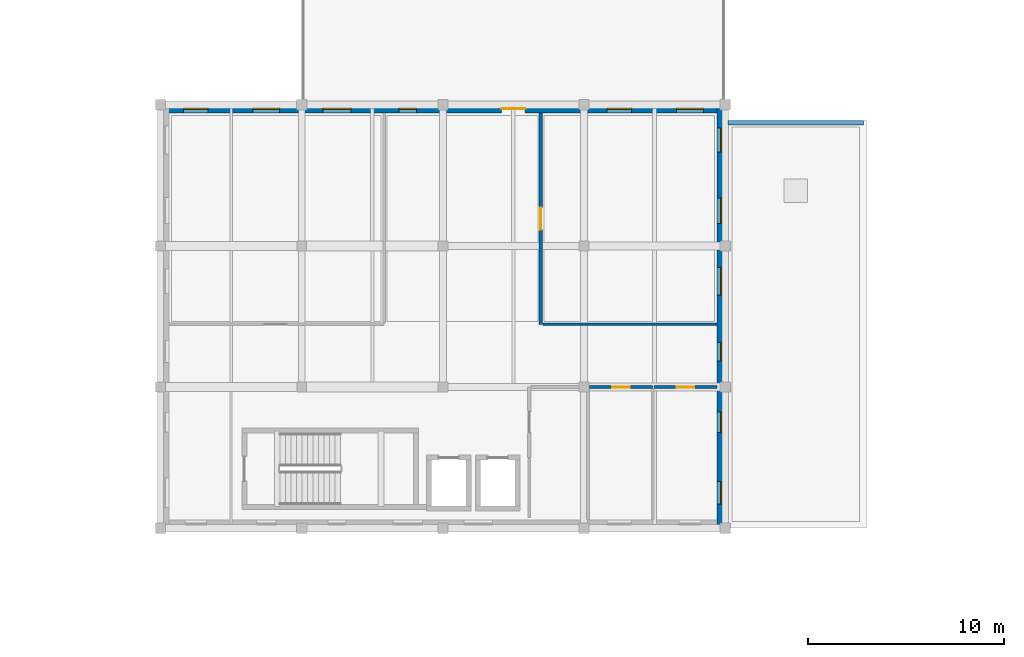
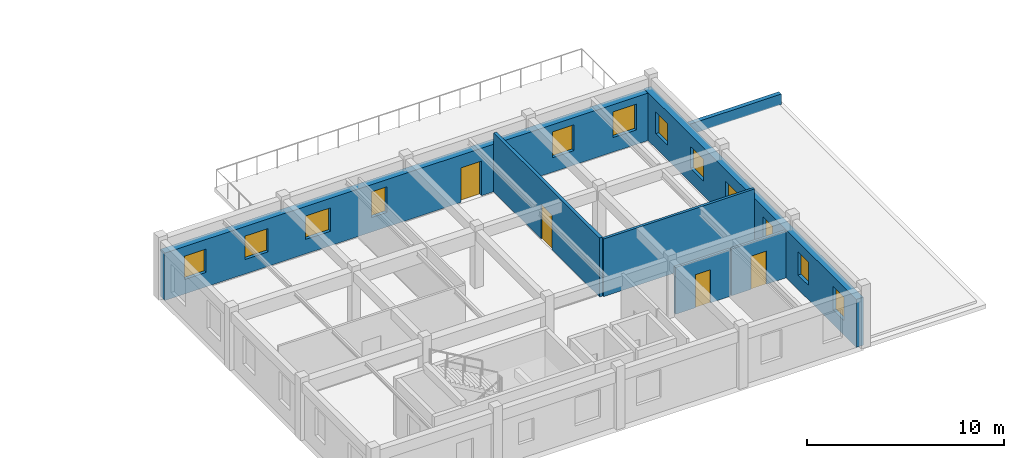
# One storey, part 12 of 20: 12 windows, 7 walls, 4 doors, 16 openings.
"""IFC4 building model written with IfcOpenShell, lengths in metres."""

from ifc_helpers import new_model, si_unit, direction, frame, frame_2d, origin, place, context, subcontext, project, spatial, rectangle, extrude, material, layer, layer_set, type_object, element, fill, save


model = new_model("IFC4")

# Units and contexts
model_context = context("Model", 3, precision=1e-05, world=origin(), true_north=direction((0.0, 1.0)))
body_context = subcontext(model_context, "Body", "Model", "MODEL_VIEW")
ifc_project = project(units=[si_unit("LENGTHUNIT", "METRE"), si_unit("AREAUNIT", "SQUARE_METRE"), si_unit("VOLUMEUNIT", "CUBIC_METRE"), si_unit("PLANEANGLEUNIT", "RADIAN"), si_unit("MASSUNIT", "GRAM", prefix="KILO")], contexts=[model_context])

# Site, building, storey
site_placement = place(None, origin())
site = spatial("IfcSite", under=ifc_project, at=site_placement, CompositionType="ELEMENT")
building_placement = place(site_placement, origin())
building = spatial("IfcBuilding", under=site, at=building_placement, Name="Bramveld Media Centre", CompositionType="ELEMENT")
storey_placement = place(building_placement, frame((0.0, 0.0, 18.0)))
storey = spatial("IfcBuildingStorey", under=building, at=storey_placement, Name="L04", CompositionType="ELEMENT", Elevation=18.0)

# Wall, openings, windows
ifc_material_1 = material(Name="Flemish red-brown clay facing brick cavity wall with concrete C35/45 inner leaf", Category="masonry")
ifc_layer_1 = layer(ifc_material_1, 0.419921875)
ifc_layer_set_1 = layer_set([ifc_layer_1], Name="Flemish red-brown clay facing brick cavity wall with concrete C35/45 inner leaf")
wall_type_1 = type_object("IfcWallType", Name="EW-BRK-420", PredefinedType="SOLIDWALL", material=ifc_layer_set_1)
wall_1_placement = place(storey_placement, frame((94.18994140625, 112.0, 0.0), z_axis=(0.0, 0.0, 1.0), x_axis=(0.0, -1.0, 0.0)))
wall_1 = element("IfcWall", 1, at=wall_1_placement, inside=storey, type_object=wall_type_1, Name="V6 L04 E facing brick exterior wall", PredefinedType="SOLIDWALL", context=body_context, shape_type="SweptSolid", body=[
    extrude(rectangle(XDim=21.60009765625, YDim=0.419921875, at=frame_2d((10.800048828125, 0.0))), origin(), (0.0, 0.0, 1.0), 2.97509765625),
])
opening_1_placement = place(wall_1_placement, frame((1.199951171875, 0.0, 0.89990234375)))
opening_1 = element("IfcOpeningElement", 2, at=opening_1_placement, cuts=wall_1, Name="Opening W-04", PredefinedType="OPENING", context=body_context, shape_type="SweptSolid", body=[
    extrude(rectangle(XDim=1.199951171875, YDim=1.35009765625, at=frame_2d((0.60009765625, 0.675048828125))), frame((0.0, 0.221923828125, 0.0), z_axis=(0.0, -1.0, 0.0), x_axis=(1.0, 0.0, 0.0)), (0.0, 0.0, 1.0), 0.44384765625),
])
opening_2_placement = place(wall_1_placement, frame((4.75, 0.0, 0.89990234375)))
opening_2 = element("IfcOpeningElement", 3, at=opening_2_placement, cuts=wall_1, Name="Opening W-05", PredefinedType="OPENING", context=body_context, shape_type="SweptSolid", body=[
    extrude(rectangle(XDim=1.300048828125, YDim=1.35009765625, at=frame_2d((0.64990234375, 0.675048828125))), frame((0.0, 0.221923828125, 0.0), z_axis=(0.0, -1.0, 0.0), x_axis=(1.0, 0.0, 0.0)), (0.0, 0.0, 1.0), 0.44384765625),
])
opening_3_placement = place(wall_1_placement, frame((8.300048828125, 0.0, 0.89990234375)))
opening_3 = element("IfcOpeningElement", 4, at=opening_3_placement, cuts=wall_1, Name="Opening W-06", PredefinedType="OPENING", context=body_context, shape_type="SweptSolid", body=[
    extrude(rectangle(XDim=1.39990234375, YDim=1.35009765625, at=frame_2d((0.699951171875, 0.675048828125))), frame((0.0, 0.221923828125, 0.0), z_axis=(0.0, -1.0, 0.0), x_axis=(1.0, 0.0, 0.0)), (0.0, 0.0, 1.0), 0.44384765625),
])
opening_4_placement = place(wall_1_placement, frame((12.125, 0.0, 0.89990234375)))
opening_4 = element("IfcOpeningElement", 5, at=opening_4_placement, cuts=wall_1, Name="Opening W-07", PredefinedType="OPENING", context=body_context, shape_type="SweptSolid", body=[
    extrude(rectangle(XDim=0.949951171875, YDim=1.449951171875, at=frame_2d((0.47509765625, 0.72509765625))), frame((0.0, 0.221923828125, 0.0), z_axis=(0.0, -1.0, 0.0), x_axis=(1.0, 0.0, 0.0)), (0.0, 0.0, 1.0), 0.44384765625),
])
opening_5_placement = place(wall_1_placement, frame((15.675048828125, 0.0, 0.89990234375)))
opening_5 = element("IfcOpeningElement", 6, at=opening_5_placement, cuts=wall_1, Name="Opening W-08", PredefinedType="OPENING", context=body_context, shape_type="SweptSolid", body=[
    extrude(rectangle(XDim=1.050048828125, YDim=1.449951171875, at=frame_2d((0.52490234375, 0.72509765625))), frame((0.0, 0.221923828125, 0.0), z_axis=(0.0, -1.0, 0.0), x_axis=(1.0, 0.0, 0.0)), (0.0, 0.0, 1.0), 0.44384765625),
])
opening_6_placement = place(wall_1_placement, frame((19.22509765625, 0.0, 0.89990234375)))
opening_6 = element("IfcOpeningElement", 7, at=opening_6_placement, cuts=wall_1, Name="Opening W-09", PredefinedType="OPENING", context=body_context, shape_type="SweptSolid", body=[
    extrude(rectangle(XDim=1.14990234375, YDim=1.449951171875, at=frame_2d((0.574951171875, 0.72509765625))), frame((0.0, 0.221923828125, 0.0), z_axis=(0.0, -1.0, 0.0), x_axis=(1.0, 0.0, 0.0)), (0.0, 0.0, 1.0), 0.44384765625),
])
ifc_material_2 = material(Name="Thermally broken anodized bronze aluminium frame with triple acoustic glazing", Category="aluminium")
window_type_1 = type_object("IfcWindowType", Name="WIN-FAC-04", PartitioningType="SINGLE_PANEL", PredefinedType="WINDOW", material=ifc_material_2)
window_1_placement = place(opening_1_placement, origin())
window_1 = element("IfcWindow", 8, at=window_1_placement, inside=storey, type_object=window_type_1, Name="V6 L04 E acoustic facade window", OverallHeight=1.35009765625, OverallWidth=1.199951171875, PartitioningType="SINGLE_PANEL", PredefinedType="WINDOW", context=body_context, shape_type="SweptSolid", body=[
    extrude(rectangle(XDim=1.199951171875, YDim=1.35009765625, at=frame_2d((0.60009765625, 0.675048828125))), frame((0.0, 0.030029296875, 0.0), z_axis=(0.0, -1.0, 0.0), x_axis=(1.0, 0.0, 0.0)), (0.0, 0.0, 1.0), 0.06005859375),
])
fill(opening_1, window_1)
ifc_material_3 = material(Name="Thermally broken anodized bronze aluminium frame with triple acoustic glazing", Category="aluminium")
window_type_2 = type_object("IfcWindowType", Name="WIN-FAC-05", PartitioningType="SINGLE_PANEL", PredefinedType="WINDOW", material=ifc_material_3)
window_2_placement = place(opening_2_placement, origin())
window_2 = element("IfcWindow", 9, at=window_2_placement, inside=storey, type_object=window_type_2, Name="V6 L04 E acoustic facade window", OverallHeight=1.35009765625, OverallWidth=1.300048828125, PartitioningType="SINGLE_PANEL", PredefinedType="WINDOW", context=body_context, shape_type="SweptSolid", body=[
    extrude(rectangle(XDim=1.300048828125, YDim=1.35009765625, at=frame_2d((0.64990234375, 0.675048828125))), frame((0.0, 0.030029296875, 0.0), z_axis=(0.0, -1.0, 0.0), x_axis=(1.0, 0.0, 0.0)), (0.0, 0.0, 1.0), 0.06005859375),
])
fill(opening_2, window_2)
ifc_material_4 = material(Name="Thermally broken anodized bronze aluminium frame with triple acoustic glazing", Category="aluminium")
window_type_3 = type_object("IfcWindowType", Name="WIN-FAC-06", PartitioningType="SINGLE_PANEL", PredefinedType="WINDOW", material=ifc_material_4)
window_3_placement = place(opening_3_placement, origin())
window_3 = element("IfcWindow", 10, at=window_3_placement, inside=storey, type_object=window_type_3, Name="V6 L04 E acoustic facade window", OverallHeight=1.35009765625, OverallWidth=1.39990234375, PartitioningType="SINGLE_PANEL", PredefinedType="WINDOW", context=body_context, shape_type="SweptSolid", body=[
    extrude(rectangle(XDim=1.39990234375, YDim=1.35009765625, at=frame_2d((0.699951171875, 0.675048828125))), frame((0.0, 0.030029296875, 0.0), z_axis=(0.0, -1.0, 0.0), x_axis=(1.0, 0.0, 0.0)), (0.0, 0.0, 1.0), 0.06005859375),
])
fill(opening_3, window_3)
ifc_material_5 = material(Name="Thermally broken anodized bronze aluminium frame with triple acoustic glazing", Category="aluminium")
window_type_4 = type_object("IfcWindowType", Name="WIN-FAC-07", PartitioningType="SINGLE_PANEL", PredefinedType="WINDOW", material=ifc_material_5)
window_4_placement = place(opening_4_placement, origin())
window_4 = element("IfcWindow", 11, at=window_4_placement, inside=storey, type_object=window_type_4, Name="V6 L04 E acoustic facade window", OverallHeight=1.449951171875, OverallWidth=0.949951171875, PartitioningType="SINGLE_PANEL", PredefinedType="WINDOW", context=body_context, shape_type="SweptSolid", body=[
    extrude(rectangle(XDim=0.949951171875, YDim=1.449951171875, at=frame_2d((0.47509765625, 0.72509765625))), frame((0.0, 0.030029296875, 0.0), z_axis=(0.0, -1.0, 0.0), x_axis=(1.0, 0.0, 0.0)), (0.0, 0.0, 1.0), 0.06005859375),
])
fill(opening_4, window_4)
ifc_material_6 = material(Name="Thermally broken anodized bronze aluminium frame with triple acoustic glazing", Category="aluminium")
window_type_5 = type_object("IfcWindowType", Name="WIN-FAC-08", PartitioningType="SINGLE_PANEL", PredefinedType="WINDOW", material=ifc_material_6)
window_5_placement = place(opening_5_placement, origin())
window_5 = element("IfcWindow", 12, at=window_5_placement, inside=storey, type_object=window_type_5, Name="V6 L04 E acoustic facade window", OverallHeight=1.449951171875, OverallWidth=1.050048828125, PartitioningType="SINGLE_PANEL", PredefinedType="WINDOW", context=body_context, shape_type="SweptSolid", body=[
    extrude(rectangle(XDim=1.050048828125, YDim=1.449951171875, at=frame_2d((0.52490234375, 0.72509765625))), frame((0.0, 0.030029296875, 0.0), z_axis=(0.0, -1.0, 0.0), x_axis=(1.0, 0.0, 0.0)), (0.0, 0.0, 1.0), 0.06005859375),
])
fill(opening_5, window_5)
ifc_material_7 = material(Name="Thermally broken anodized bronze aluminium frame with triple acoustic glazing", Category="aluminium")
window_type_6 = type_object("IfcWindowType", Name="WIN-FAC-09", PartitioningType="SINGLE_PANEL", PredefinedType="WINDOW", material=ifc_material_7)
window_6_placement = place(opening_6_placement, origin())
window_6 = element("IfcWindow", 13, at=window_6_placement, inside=storey, type_object=window_type_6, Name="V6 L04 E acoustic facade window", OverallHeight=1.449951171875, OverallWidth=1.14990234375, PartitioningType="SINGLE_PANEL", PredefinedType="WINDOW", context=body_context, shape_type="SweptSolid", body=[
    extrude(rectangle(XDim=1.14990234375, YDim=1.449951171875, at=frame_2d((0.574951171875, 0.72509765625))), frame((0.0, 0.030029296875, 0.0), z_axis=(0.0, -1.0, 0.0), x_axis=(1.0, 0.0, 0.0)), (0.0, 0.0, 1.0), 0.06005859375),
])
fill(opening_6, window_6)

# Wall, openings, door, windows
wall_2_placement = place(storey_placement, frame((65.60009765625, 111.7900390625, 0.0), z_axis=(0.0, 0.0, 1.0), x_axis=(1.0, 0.0, 0.0)))
wall_2 = element("IfcWall", 14, at=wall_2_placement, inside=storey, type_object=wall_type_1, Name="V6 L04 N facing brick exterior wall", PredefinedType="SOLIDWALL", context=body_context, shape_type="SweptSolid", body=[
    extrude(rectangle(XDim=28.7998046875, YDim=0.419921875, at=frame_2d((14.39990234375, 0.0))), origin(), (0.0, 0.0, 1.0), 2.945068359375),
])
opening_7_placement = place(wall_2_placement, frame((17.39990234375, 0.0, 0.0)))
opening_7 = element("IfcOpeningElement", 15, at=opening_7_placement, cuts=wall_2, Name="Opening TD-09", PredefinedType="OPENING", context=body_context, shape_type="SweptSolid", body=[
    extrude(rectangle(XDim=1.199951171875, YDim=2.14990234375, at=frame_2d((0.60009765625, 1.074951171875))), frame((0.0, 0.221923828125, 0.0), z_axis=(0.0, -1.0, 0.0), x_axis=(1.0, 0.0, 0.0)), (0.0, 0.0, 1.0), 0.44384765625),
])
opening_8_placement = place(wall_2_placement, frame((1.175048828125, 0.0, 0.89990234375)))
opening_8 = element("IfcOpeningElement", 16, at=opening_8_placement, cuts=wall_2, Name="Opening W-10", PredefinedType="OPENING", context=body_context, shape_type="SweptSolid", body=[
    extrude(rectangle(XDim=1.25, YDim=1.449951171875, at=frame_2d((0.625, 0.72509765625))), frame((0.0, 0.221923828125, 0.0), z_axis=(0.0, -1.0, 0.0), x_axis=(1.0, 0.0, 0.0)), (0.0, 0.0, 1.0), 0.44384765625),
])
opening_9_placement = place(wall_2_placement, frame((4.72509765625, 0.0, 0.89990234375)))
opening_9 = element("IfcOpeningElement", 17, at=opening_9_placement, cuts=wall_2, Name="Opening W-11", PredefinedType="OPENING", context=body_context, shape_type="SweptSolid", body=[
    extrude(rectangle(XDim=1.35009765625, YDim=1.449951171875, at=frame_2d((0.675048828125, 0.72509765625))), frame((0.0, 0.221923828125, 0.0), z_axis=(0.0, -1.0, 0.0), x_axis=(1.0, 0.0, 0.0)), (0.0, 0.0, 1.0), 0.44384765625),
])
opening_10_placement = place(wall_2_placement, frame((8.27490234375, 0.0, 0.89990234375)))
opening_10 = element("IfcOpeningElement", 18, at=opening_10_placement, cuts=wall_2, Name="Opening W-12", PredefinedType="OPENING", context=body_context, shape_type="SweptSolid", body=[
    extrude(rectangle(XDim=1.449951171875, YDim=1.449951171875, at=frame_2d((0.72509765625, 0.72509765625))), frame((0.0, 0.221923828125, 0.0), z_axis=(0.0, -1.0, 0.0), x_axis=(1.0, 0.0, 0.0)), (0.0, 0.0, 1.0), 0.44384765625),
])
opening_11_placement = place(wall_2_placement, frame((12.14990234375, 0.0, 0.89990234375)))
opening_11 = element("IfcOpeningElement", 19, at=opening_11_placement, cuts=wall_2, Name="Opening W-13", PredefinedType="OPENING", context=body_context, shape_type="SweptSolid", body=[
    extrude(rectangle(XDim=0.89990234375, YDim=1.60009765625, at=frame_2d((0.449951171875, 0.800048828125))), frame((0.0, 0.221923828125, 0.0), z_axis=(0.0, -1.0, 0.0), x_axis=(1.0, 0.0, 0.0)), (0.0, 0.0, 1.0), 0.44384765625),
])
opening_12_placement = place(wall_2_placement, frame((22.77490234375, 0.0, 0.89990234375)))
opening_12 = element("IfcOpeningElement", 20, at=opening_12_placement, cuts=wall_2, Name="Opening W-16", PredefinedType="OPENING", context=body_context, shape_type="SweptSolid", body=[
    extrude(rectangle(XDim=1.25, YDim=1.60009765625, at=frame_2d((0.625, 0.800048828125))), frame((0.0, 0.221923828125, 0.0), z_axis=(0.0, -1.0, 0.0), x_axis=(1.0, 0.0, 0.0)), (0.0, 0.0, 1.0), 0.44384765625),
])
opening_13_placement = place(wall_2_placement, frame((26.31005859375, 0.0, 0.89990234375)))
opening_13 = element("IfcOpeningElement", 21, at=opening_13_placement, cuts=wall_2, Name="Opening W-17", PredefinedType="OPENING", context=body_context, shape_type="SweptSolid", body=[
    extrude(rectangle(XDim=1.3798828125, YDim=1.60009765625, at=frame_2d((0.68994140625, 0.800048828125))), frame((0.0, 0.221923828125, 0.0), z_axis=(0.0, -1.0, 0.0), x_axis=(1.0, 0.0, 0.0)), (0.0, 0.0, 1.0), 0.44384765625),
])
ifc_material_8 = material(Name="Insulated powder-coated bronze aluminium & laminated safety glass door", Category="aluminium")
door_type_1 = type_object("IfcDoorType", Name="DR-TER-1200", OperationType="NOTDEFINED", PredefinedType="DOOR", material=ifc_material_8)
door_1_placement = place(opening_7_placement, origin())
door_1 = element("IfcDoor", 22, at=door_1_placement, inside=storey, type_object=door_type_1, Name="Exterior door TD-09", OperationType="SINGLE_SWING_LEFT", OverallHeight=2.14990234375, OverallWidth=1.199951171875, PredefinedType="DOOR", context=body_context, shape_type="SweptSolid", body=[
    extrude(rectangle(XDim=1.199951171875, YDim=2.14990234375, at=frame_2d((0.60009765625, 1.074951171875))), frame((0.0, 0.02490234375, 0.0), z_axis=(0.0, -1.0, 0.0), x_axis=(1.0, 0.0, 0.0)), (0.0, 0.0, 1.0), 0.050048828125),
])
fill(opening_7, door_1)
ifc_material_9 = material(Name="Thermally broken anodized bronze aluminium frame with triple acoustic glazing", Category="aluminium")
window_type_7 = type_object("IfcWindowType", Name="WIN-FAC-10", PartitioningType="SINGLE_PANEL", PredefinedType="WINDOW", material=ifc_material_9)
window_7_placement = place(opening_8_placement, origin())
window_7 = element("IfcWindow", 23, at=window_7_placement, inside=storey, type_object=window_type_7, Name="V6 L04 N acoustic facade window", OverallHeight=1.449951171875, OverallWidth=1.25, PartitioningType="SINGLE_PANEL", PredefinedType="WINDOW", context=body_context, shape_type="SweptSolid", body=[
    extrude(rectangle(XDim=1.25, YDim=1.449951171875, at=frame_2d((0.625, 0.72509765625))), frame((0.0, 0.030029296875, 0.0), z_axis=(0.0, -1.0, 0.0), x_axis=(1.0, 0.0, 0.0)), (0.0, 0.0, 1.0), 0.06005859375),
])
fill(opening_8, window_7)
ifc_material_10 = material(Name="Thermally broken anodized bronze aluminium frame with triple acoustic glazing", Category="aluminium")
window_type_8 = type_object("IfcWindowType", Name="WIN-FAC-11", PartitioningType="SINGLE_PANEL", PredefinedType="WINDOW", material=ifc_material_10)
window_8_placement = place(opening_9_placement, origin())
window_8 = element("IfcWindow", 24, at=window_8_placement, inside=storey, type_object=window_type_8, Name="V6 L04 N acoustic facade window", OverallHeight=1.449951171875, OverallWidth=1.35009765625, PartitioningType="SINGLE_PANEL", PredefinedType="WINDOW", context=body_context, shape_type="SweptSolid", body=[
    extrude(rectangle(XDim=1.35009765625, YDim=1.449951171875, at=frame_2d((0.675048828125, 0.72509765625))), frame((0.0, 0.030029296875, 0.0), z_axis=(0.0, -1.0, 0.0), x_axis=(1.0, 0.0, 0.0)), (0.0, 0.0, 1.0), 0.06005859375),
])
fill(opening_9, window_8)
ifc_material_11 = material(Name="Thermally broken anodized bronze aluminium frame with triple acoustic glazing", Category="aluminium")
window_type_9 = type_object("IfcWindowType", Name="WIN-FAC-12", PartitioningType="SINGLE_PANEL", PredefinedType="WINDOW", material=ifc_material_11)
window_9_placement = place(opening_10_placement, origin())
window_9 = element("IfcWindow", 25, at=window_9_placement, inside=storey, type_object=window_type_9, Name="V6 L04 N acoustic facade window", OverallHeight=1.449951171875, OverallWidth=1.449951171875, PartitioningType="SINGLE_PANEL", PredefinedType="WINDOW", context=body_context, shape_type="SweptSolid", body=[
    extrude(rectangle(XDim=1.449951171875, YDim=1.449951171875, at=frame_2d((0.72509765625, 0.72509765625))), frame((0.0, 0.030029296875, 0.0), z_axis=(0.0, -1.0, 0.0), x_axis=(1.0, 0.0, 0.0)), (0.0, 0.0, 1.0), 0.06005859375),
])
fill(opening_10, window_9)
ifc_material_12 = material(Name="Thermally broken anodized bronze aluminium frame with triple acoustic glazing", Category="aluminium")
window_type_10 = type_object("IfcWindowType", Name="WIN-FAC-13", PartitioningType="SINGLE_PANEL", PredefinedType="WINDOW", material=ifc_material_12)
window_10_placement = place(opening_11_placement, origin())
window_10 = element("IfcWindow", 26, at=window_10_placement, inside=storey, type_object=window_type_10, Name="V6 L04 N acoustic facade window", OverallHeight=1.60009765625, OverallWidth=0.89990234375, PartitioningType="SINGLE_PANEL", PredefinedType="WINDOW", context=body_context, shape_type="SweptSolid", body=[
    extrude(rectangle(XDim=0.89990234375, YDim=1.60009765625, at=frame_2d((0.449951171875, 0.800048828125))), frame((0.0, 0.030029296875, 0.0), z_axis=(0.0, -1.0, 0.0), x_axis=(1.0, 0.0, 0.0)), (0.0, 0.0, 1.0), 0.06005859375),
])
fill(opening_11, window_10)
ifc_material_13 = material(Name="Thermally broken anodized bronze aluminium frame with triple acoustic glazing", Category="aluminium")
window_type_11 = type_object("IfcWindowType", Name="WIN-FAC-16", PartitioningType="SINGLE_PANEL", PredefinedType="WINDOW", material=ifc_material_13)
window_11_placement = place(opening_12_placement, origin())
window_11 = element("IfcWindow", 27, at=window_11_placement, inside=storey, type_object=window_type_11, Name="V6 L04 N acoustic facade window", OverallHeight=1.60009765625, OverallWidth=1.25, PartitioningType="SINGLE_PANEL", PredefinedType="WINDOW", context=body_context, shape_type="SweptSolid", body=[
    extrude(rectangle(XDim=1.25, YDim=1.60009765625, at=frame_2d((0.625, 0.800048828125))), frame((0.0, 0.030029296875, 0.0), z_axis=(0.0, -1.0, 0.0), x_axis=(1.0, 0.0, 0.0)), (0.0, 0.0, 1.0), 0.06005859375),
])
fill(opening_12, window_11)
ifc_material_14 = material(Name="Thermally broken anodized bronze aluminium frame with triple acoustic glazing", Category="aluminium")
window_type_12 = type_object("IfcWindowType", Name="WIN-FAC-17", PartitioningType="SINGLE_PANEL", PredefinedType="WINDOW", material=ifc_material_14)
window_12_placement = place(opening_13_placement, origin())
window_12 = element("IfcWindow", 28, at=window_12_placement, inside=storey, type_object=window_type_12, Name="V6 L04 N acoustic facade window", OverallHeight=1.60009765625, OverallWidth=1.3798828125, PartitioningType="SINGLE_PANEL", PredefinedType="WINDOW", context=body_context, shape_type="SweptSolid", body=[
    extrude(rectangle(XDim=1.3798828125, YDim=1.60009765625, at=frame_2d((0.68994140625, 0.800048828125))), frame((0.0, 0.030029296875, 0.0), z_axis=(0.0, -1.0, 0.0), x_axis=(1.0, 0.0, 0.0)), (0.0, 0.0, 1.0), 0.06005859375),
])
fill(opening_13, window_12)

# Wall, opening, door
ifc_material_15 = material(Name="Fire-rated twin-frame gypsum corridor wall", Category="gypsum")
ifc_layer_2 = layer(ifc_material_15, 0.179931640625)
ifc_layer_set_2 = layer_set([ifc_layer_2], Name="Fire-rated twin-frame gypsum corridor wall")
wall_type_2 = type_object("IfcWallType", Name="IW-FIRE-180", PredefinedType="PARTITIONING", material=ifc_layer_set_2)
wall_3_placement = place(storey_placement, frame((85.0, 100.800048828125, 0.0), z_axis=(0.0, 0.0, 1.0), x_axis=(0.0, 1.0, 0.0)))
wall_3 = element("IfcWall", 29, at=wall_3_placement, inside=storey, type_object=wall_type_2, Name="North Canal Viewing Circulation Lobby partition wall", PredefinedType="PARTITIONING", context=body_context, shape_type="SweptSolid", body=[
    extrude(rectangle(XDim=10.77001953125, YDim=0.179931640625, at=frame_2d((5.385009765625, 0.0))), origin(), (0.0, 0.0, 1.0), 3.659912109375),
])
opening_14_placement = place(wall_3_placement, frame((4.824951171875, 0.0, 0.0)))
opening_14 = element("IfcOpeningElement", 30, at=opening_14_placement, cuts=wall_3, Name="Opening D-04-181", PredefinedType="OPENING", context=body_context, shape_type="SweptSolid", body=[
    extrude(rectangle(XDim=1.1201171875, YDim=2.14990234375, at=frame_2d((0.56005859375, 1.074951171875))), frame((0.0, 0.10205078125, 0.0), z_axis=(0.0, -1.0, 0.0), x_axis=(1.0, 0.0, 0.0)), (0.0, 0.0, 1.0), 0.203857421875),
])
ifc_material_16 = material(Name="Solid-core European oak acoustic timber leaf in steel frame", Category="steel")
door_type_2 = type_object("IfcDoorType", Name="DR-RM-1120", OperationType="NOTDEFINED", PredefinedType="DOOR", material=ifc_material_16)
door_2_placement = place(opening_14_placement, origin())
door_2 = element("IfcDoor", 31, at=door_2_placement, inside=storey, type_object=door_type_2, Name="Exhibition Media Server & Lighting Studio entrance door", OperationType="SINGLE_SWING_LEFT", OverallHeight=2.14990234375, OverallWidth=1.1201171875, PredefinedType="DOOR", context=body_context, shape_type="SweptSolid", body=[
    extrude(rectangle(XDim=1.1201171875, YDim=2.14990234375, at=frame_2d((0.56005859375, 1.074951171875))), frame((0.0, 0.02490234375, 0.0), z_axis=(0.0, -1.0, 0.0), x_axis=(1.0, 0.0, 0.0)), (0.0, 0.0, 1.0), 0.050048828125),
])
fill(opening_14, door_2)

# Wall
ifc_material_17 = material(Name="Insulated metal-stud gypsum room partition", Category="gypsum")
ifc_layer_3 = layer(ifc_material_17, 0.14990234375)
ifc_layer_set_3 = layer_set([ifc_layer_3], Name="Insulated metal-stud gypsum room partition")
wall_type_3 = type_object("IfcWallType", Name="IW-PART-150", PredefinedType="PARTITIONING", material=ifc_layer_set_3)
wall_4_placement = place(storey_placement, frame((85.10009765625, 100.800048828125, 0.0), z_axis=(0.0, 0.0, 1.0), x_axis=(1.0, 0.0, 0.0)))
element("IfcWall", 32, at=wall_4_placement, inside=storey, type_object=wall_type_3, Name="Exhibition Media Server & Lighting Studio partition wall", PredefinedType="PARTITIONING", context=body_context, shape_type="SweptSolid", body=[
    extrude(rectangle(XDim=8.869873046875, YDim=0.14990234375, at=frame_2d((4.43505859375, 0.0))), origin(), (0.0, 0.0, 1.0), 3.580078125),
])

# Wall, opening, door
ifc_material_18 = material(Name="Moisture-resistant cement-board sanitary partition", Category="gypsum")
ifc_layer_4 = layer(ifc_material_18, 0.139892578125)
ifc_layer_set_4 = layer_set([ifc_layer_4], Name="Moisture-resistant cement-board sanitary partition")
wall_type_4 = type_object("IfcWallType", Name="IW-WET-140", PredefinedType="PARTITIONING", material=ifc_layer_set_4)
wall_5_placement = place(storey_placement, frame((87.47998046875, 97.60009765625, 0.0), z_axis=(0.0, 0.0, 1.0), x_axis=(1.0, 0.0, 0.0)))
wall_5 = element("IfcWall", 33, at=wall_5_placement, inside=storey, type_object=wall_type_4, Name="Male WC partition wall", PredefinedType="PARTITIONING", context=body_context, shape_type="SweptSolid", body=[
    extrude(rectangle(XDim=3.219970703125, YDim=0.139892578125, at=frame_2d((1.60986328125, 0.0))), origin(), (0.0, 0.0, 1.0), 2.905029296875),
])
opening_15_placement = place(wall_5_placement, frame((1.1650390625, 0.0, 0.0)))
opening_15 = element("IfcOpeningElement", 34, at=opening_15_placement, cuts=wall_5, Name="Opening D-04-178", PredefinedType="OPENING", context=body_context, shape_type="SweptSolid", body=[
    extrude(rectangle(XDim=0.889892578125, YDim=2.050048828125, at=frame_2d((0.44482421875, 1.02490234375))), frame((0.0, 0.08203125, 0.0), z_axis=(0.0, -1.0, 0.0), x_axis=(1.0, 0.0, 0.0)), (0.0, 0.0, 1.0), 0.163818359375),
])
ifc_material_19 = material(Name="Solid-core European oak acoustic timber leaf in steel frame", Category="steel")
door_type_3 = type_object("IfcDoorType", Name="DR-WC-0890", OperationType="NOTDEFINED", PredefinedType="DOOR", material=ifc_material_19)
door_3_placement = place(opening_15_placement, origin())
door_3 = element("IfcDoor", 35, at=door_3_placement, inside=storey, type_object=door_type_3, Name="Male WC entrance door", OperationType="SINGLE_SWING_RIGHT", OverallHeight=2.050048828125, OverallWidth=0.889892578125, PredefinedType="DOOR", context=body_context, shape_type="SweptSolid", body=[
    extrude(rectangle(XDim=0.889892578125, YDim=2.050048828125, at=frame_2d((0.44482421875, 1.02490234375))), frame((0.0, 0.02490234375, 0.0), z_axis=(0.0, -1.0, 0.0), x_axis=(1.0, 0.0, 0.0)), (0.0, 0.0, 1.0), 0.050048828125),
])
fill(opening_15, door_3)

wall_6_placement = place(storey_placement, frame((90.780029296875, 97.60009765625, 0.0), z_axis=(0.0, 0.0, 1.0), x_axis=(1.0, 0.0, 0.0)))
wall_6 = element("IfcWall", 36, at=wall_6_placement, inside=storey, type_object=wall_type_4, Name="Female WC partition wall", PredefinedType="PARTITIONING", context=body_context, shape_type="SweptSolid", body=[
    extrude(rectangle(XDim=3.18994140625, YDim=0.139892578125, at=frame_2d((1.594970703125, 0.0))), origin(), (0.0, 0.0, 1.0), 2.905029296875),
])
opening_16_placement = place(wall_6_placement, frame((1.139892578125, 0.0, 0.0)))
opening_16 = element("IfcOpeningElement", 37, at=opening_16_placement, cuts=wall_6, Name="Opening D-04-179", PredefinedType="OPENING", context=body_context, shape_type="SweptSolid", body=[
    extrude(rectangle(XDim=0.909912109375, YDim=2.06005859375, at=frame_2d((0.455078125, 1.030029296875))), frame((0.0, 0.08203125, 0.0), z_axis=(0.0, -1.0, 0.0), x_axis=(1.0, 0.0, 0.0)), (0.0, 0.0, 1.0), 0.163818359375),
])
ifc_material_20 = material(Name="Solid-core European oak acoustic timber leaf in steel frame", Category="steel")
door_type_4 = type_object("IfcDoorType", Name="DR-WC-0910", OperationType="NOTDEFINED", PredefinedType="DOOR", material=ifc_material_20)
door_4_placement = place(opening_16_placement, origin())
door_4 = element("IfcDoor", 38, at=door_4_placement, inside=storey, type_object=door_type_4, Name="Female WC entrance door", OperationType="SINGLE_SWING_LEFT", OverallHeight=2.06005859375, OverallWidth=0.909912109375, PredefinedType="DOOR", context=body_context, shape_type="SweptSolid", body=[
    extrude(rectangle(XDim=0.909912109375, YDim=2.06005859375, at=frame_2d((0.455078125, 1.030029296875))), frame((0.0, 0.02490234375, 0.0), z_axis=(0.0, -1.0, 0.0), x_axis=(1.0, 0.0, 0.0)), (0.0, 0.0, 1.0), 0.050048828125),
])
fill(opening_16, door_4)

# Wall
ifc_material_21 = material(Name="Precast concrete C40/50 capped brick roof parapet", Category="masonry")
ifc_layer_5 = layer(ifc_material_21, 0.239990234375)
ifc_layer_set_5 = layer_set([ifc_layer_5], Name="Precast concrete C40/50 capped brick roof parapet")
wall_type_5 = type_object("IfcWallType", Name="PARAPET-240", PredefinedType="PARAPET", material=ifc_layer_set_5)
wall_7_placement = place(storey_placement, frame((94.550048828125, 111.080078125, 0.0), z_axis=(0.0, 0.0, 1.0), x_axis=(1.0, 0.0, 0.0)))
element("IfcWall", 39, at=wall_7_placement, inside=storey, type_object=wall_type_5, Name="V6 L04 roof parapet upstand", PredefinedType="PARAPET", context=body_context, shape_type="SweptSolid", body=[
    extrude(rectangle(XDim=6.89990234375, YDim=0.239990234375, at=frame_2d((3.449951171875, 0.0))), origin(), (0.0, 0.0, 1.0), 0.64990234375),
])

save(model, "model.ifc")
